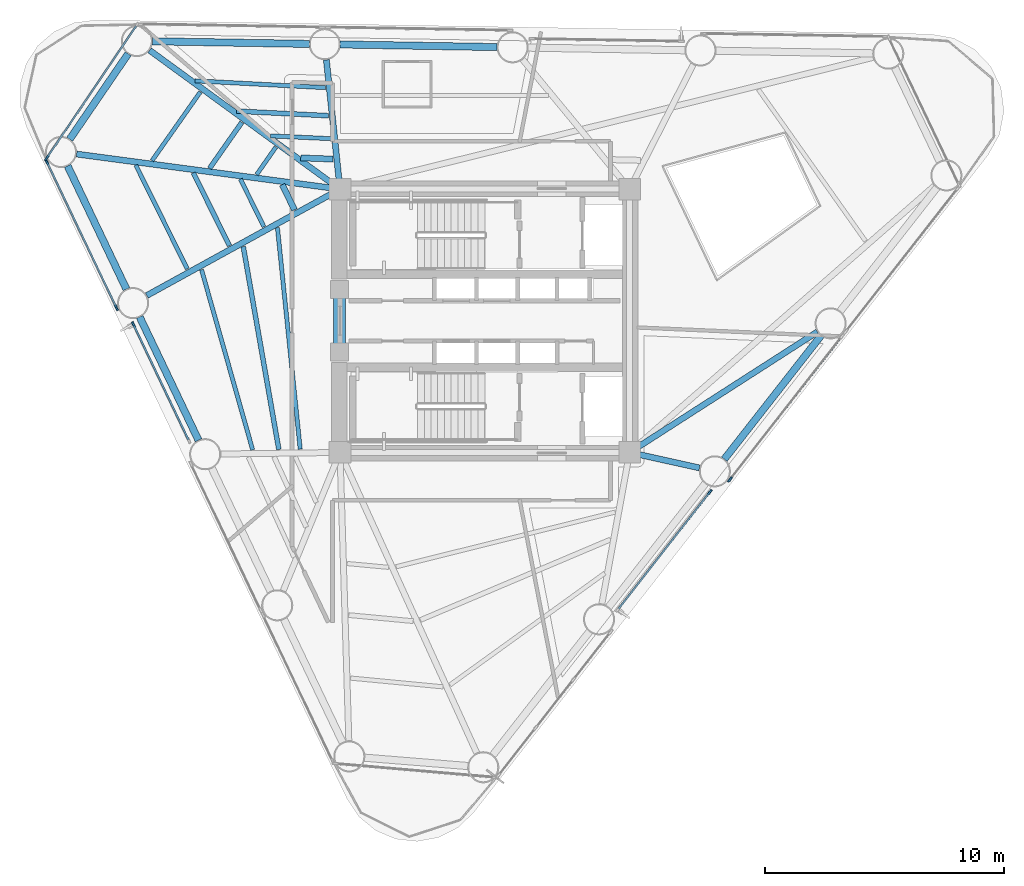
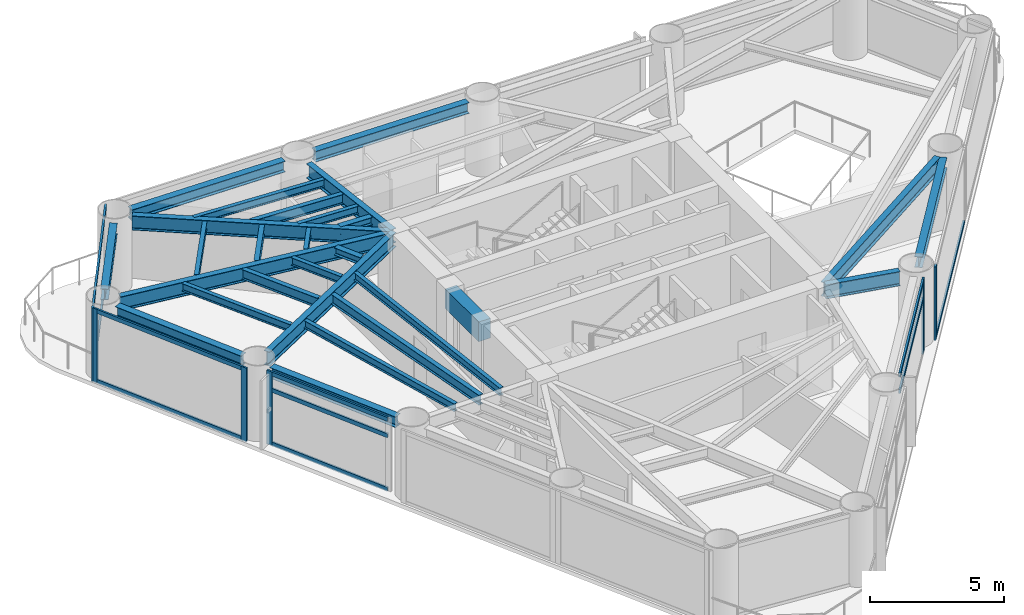
# One storey, part 3 of 10: 27 beams, 16 members, 5 elements without a shape of their own.
"""IFC4 building model written with IfcOpenShell, lengths in metres."""

from ifc_helpers import new_model, si_unit, direction, frame, origin, origin_2d, place, context, subcontext, project, spatial, rectangle, i_section, extrude, source, transform, mapped, material, layer, layer_set, material_profile, profile_set, type_object, element, aggregate, save


model = new_model("IFC4")

# Units and contexts
model_context = context("Model", 3, precision=1e-05, world=origin(), true_north=direction((0.0, 1.0)))
body_context = subcontext(model_context, "Body", "Model", "MODEL_VIEW")
ifc_project = project(units=[si_unit("LENGTHUNIT", "METRE"), si_unit("AREAUNIT", "SQUARE_METRE"), si_unit("VOLUMEUNIT", "CUBIC_METRE"), si_unit("PLANEANGLEUNIT", "RADIAN"), si_unit("MASSUNIT", "GRAM", prefix="KILO")], contexts=[model_context])

# Site, building, storey
site_placement = place(None, origin())
site = spatial("IfcSite", under=ifc_project, at=site_placement, CompositionType="ELEMENT")
building_placement = place(site_placement, origin())
building = spatial("IfcBuilding", under=site, at=building_placement, Name="Yunling Apex Tower", CompositionType="ELEMENT")
storey_placement = place(building_placement, frame((0.0, 0.0, 146.75)))
storey = spatial("IfcBuildingStorey", under=building, at=storey_placement, Name="L36", CompositionType="ELEMENT", Elevation=146.75)

# Beams
ifc_material_1 = material(Name="Concrete C50", Category="concrete")
ifc_material_profile_1 = material_profile(ifc_material_1, rectangle(XDim=0.5, YDim=0.89990234375, at=origin_2d()))
ifc_profile_set_1 = profile_set([ifc_material_profile_1], Name="Concrete C50")
beam_type_1 = type_object("IfcBeamType", Name="BC-CPL-2", PredefinedType="BEAM", material=ifc_profile_set_1)
shared_shape_1 = source(origin(), body_context, "Body", "SweptSolid", [
    extrude(rectangle(XDim=0.5, YDim=0.89990234375, at=origin_2d()), origin(), (0.0, 0.0, 1.0), 2.5),
])
beam_1_placement = place(storey_placement, frame((-6.074951171875, -1.25, 2.820068359375), z_axis=(0.0, 1.0, 0.0), x_axis=(-1.0, 0.0, 0.0)))
element("IfcBeam", 1, at=beam_1_placement, inside=storey, type_object=beam_type_1, Name="L36 Core West Portal Coupling Beam", PredefinedType="BEAM", context=body_context, shape_type="MappedRepresentation", body=[
    mapped(shared_shape_1, transform((0.0, 0.0, 0.0), scale=1.0)),
])
ifc_material_2 = material(Name="Steel Q355B", Category="steel")
ifc_material_profile_2 = material_profile(ifc_material_2, i_section(OverallWidth=0.300048828125, OverallDepth=0.489990234375, WebThickness=0.010986328125, FlangeThickness=0.01806640625, FilletRadius=0.02197265625, at=origin_2d()))
ifc_profile_set_2 = profile_set([ifc_material_profile_2], Name="Steel Q355B")
beam_type_2 = type_object("IfcBeamType", Name="BP-SPN-2", PredefinedType="SPANDREL", material=ifc_profile_set_2)
shared_shape_2 = source(origin(), body_context, "Body", "SweptSolid", [
    extrude(i_section(OverallWidth=0.300048828125, OverallDepth=0.489990234375, WebThickness=0.010986328125, FlangeThickness=0.01806640625, FilletRadius=0.02197265625, at=origin_2d()), origin(), (0.0, 0.0, 1.0), 6.562255859375),
])
beam_2_placement = place(storey_placement, frame((0.5166015625, 11.4375, 3.02490234375), z_axis=(-0.999859222118, 0.0167790329, 0.0), x_axis=(-0.0167790329, -0.999859222118, 0.0)))
element("IfcBeam", 2, at=beam_2_placement, inside=storey, type_object=beam_type_2, Name="L36 Perimeter Spandrel Beam 8", PredefinedType="SPANDREL", context=body_context, shape_type="MappedRepresentation", body=[
    mapped(shared_shape_2, transform((0.0, 0.0, 0.0), scale=1.0)),
])
shared_shape_3 = source(origin(), body_context, "Body", "SweptSolid", [
    extrude(i_section(OverallWidth=0.300048828125, OverallDepth=0.489990234375, WebThickness=0.010986328125, FlangeThickness=0.01806640625, FilletRadius=0.02197265625, at=origin_2d()), origin(), (0.0, 0.0, 1.0), 6.56201171875),
])
for number, where, z_axis, x_axis, name in (
    (3, (10.00732421875, -5.781982421875, 3.02490234375), (0.616233019323, 0.787563880518, 0.0), (-0.787563880518, 0.616233019323, 0.0), "L36 Perimeter Spandrel Beam 3"),
    (4, (-7.33251953125, 11.569091796875, 3.02490234375), (-0.999859211643, 0.016779657083, 0.0), (-0.016779657083, -0.999859211643, 0.0), "L36 Perimeter Spandrel Beam 9"),
):
    element("IfcBeam", number, at=place(storey_placement, frame(where, z_axis=z_axis, x_axis=x_axis)), inside=storey, type_object=beam_type_2, Name=name, PredefinedType="SPANDREL", context=body_context, shape_type="MappedRepresentation", body=[
        mapped(shared_shape_3, transform((0.0, 0.0, 0.0), scale=1.0)),
    ])
shared_shape_4 = source(origin(), body_context, "Body", "SweptSolid", [
    extrude(i_section(OverallWidth=0.300048828125, OverallDepth=0.489990234375, WebThickness=0.010986328125, FlangeThickness=0.01806640625, FilletRadius=0.02197265625, at=origin_2d()), origin(), (0.0, 0.0, 1.0), 4.328125),
])
beam_3_placement = place(storey_placement, frame((-14.901123046875, 11.158447265625, 3.02490234375), z_axis=(-0.564631339119, -0.825343232167, 0.0), x_axis=(0.825343232167, -0.564631339119, 0.0)))
element("IfcBeam", 5, at=beam_3_placement, inside=storey, type_object=beam_type_2, Name="L36 Perimeter Spandrel Beam 10", PredefinedType="SPANDREL", context=body_context, shape_type="MappedRepresentation", body=[
    mapped(shared_shape_4, transform((0.0, 0.0, 0.0), scale=1.0)),
])
shared_shape_5 = source(origin(), body_context, "Body", "SweptSolid", [
    extrude(i_section(OverallWidth=0.300048828125, OverallDepth=0.489990234375, WebThickness=0.010986328125, FlangeThickness=0.01806640625, FilletRadius=0.02197265625, at=origin_2d()), origin(), (0.0, 0.0, 1.0), 5.70751953125),
])
for number, where, z_axis, x_axis, name in (
    (6, (-17.431396484375, 6.473388671875, 3.02490234375), (0.430539541488, -0.902571716383, 0.0), (0.902571716383, 0.430539541488, 0.0), "L36 Perimeter Spandrel Beam 11"),
    (7, (-14.419677734375, 0.1591796875, 3.02490234375), (0.430539541488, -0.902571716383, 0.0), (0.902571716383, 0.430539541488, 0.0), "L36 Perimeter Spandrel Beam 12"),
):
    element("IfcBeam", number, at=place(storey_placement, frame(where, z_axis=z_axis, x_axis=x_axis)), inside=storey, type_object=beam_type_2, Name=name, PredefinedType="SPANDREL", context=body_context, shape_type="MappedRepresentation", body=[
        mapped(shared_shape_5, transform((0.0, 0.0, 0.0), scale=1.0)),
    ])
ifc_material_profile_3 = material_profile(ifc_material_2, i_section(OverallWidth=0.25, OverallDepth=0.64990234375, WebThickness=0.011962890625, FlangeThickness=0.02001953125, FilletRadius=0.02392578125, at=origin_2d()))
ifc_profile_set_3 = profile_set([ifc_material_profile_3], Name="Steel Q355B")
beam_type_3 = type_object("IfcBeamType", Name="BG-PRI-4", PredefinedType="USERDEFINED", material=ifc_profile_set_3)
shared_shape_6 = source(origin(), body_context, "Body", "SweptSolid", [
    extrude(i_section(OverallWidth=0.25, OverallDepth=0.64990234375, WebThickness=0.011962890625, FlangeThickness=0.02001953125, FilletRadius=0.02392578125, at=origin_2d()), origin(), (0.0, 0.0, 1.0), 2.908935546875),
])
beam_4_placement = place(storey_placement, frame((8.96826171875, -6.14697265625, 2.945068359375), z_axis=(-0.976295546219, 0.216441692917, 0.0), x_axis=(-0.216441692917, -0.976295546219, 0.0)))
element("IfcBeam", 8, at=beam_4_placement, inside=storey, type_object=beam_type_3, Name="L36 Radial Primary Girder R03", ObjectType="GIRDER", PredefinedType="USERDEFINED", context=body_context, shape_type="MappedRepresentation", body=[
    mapped(shared_shape_6, transform((0.0, 0.0, 0.0), scale=1.0)),
])
shared_shape_7 = source(origin(), body_context, "Body", "SweptSolid", [
    extrude(i_section(OverallWidth=0.25, OverallDepth=0.64990234375, WebThickness=0.011962890625, FlangeThickness=0.02001953125, FilletRadius=0.02392578125, at=origin_2d()), origin(), (0.0, 0.0, 1.0), 9.24267578125),
])
beam_5_placement = place(storey_placement, frame((13.894287109375, -0.46240234375, 2.945068359375), z_axis=(-0.841433276896, -0.540361027954, 0.0), x_axis=(0.540361027954, -0.841433276896, 0.0)))
element("IfcBeam", 9, at=beam_5_placement, inside=storey, type_object=beam_type_3, Name="L36 Radial Primary Girder R04", ObjectType="GIRDER", PredefinedType="USERDEFINED", context=body_context, shape_type="MappedRepresentation", body=[
    mapped(shared_shape_7, transform((0.0, 0.0, 0.0), scale=1.0)),
])
shared_shape_8 = source(origin(), body_context, "Body", "SweptSolid", [
    extrude(i_section(OverallWidth=0.25, OverallDepth=0.64990234375, WebThickness=0.011962890625, FlangeThickness=0.02001953125, FilletRadius=0.02392578125, at=origin_2d()), origin(), (0.0, 0.0, 1.0), 5.35400390625),
])
beam_6_placement = place(storey_placement, frame((-6.619384765625, 10.904052734375, 2.945068359375), z_axis=(0.104789227106, -0.99449445342, 0.0), x_axis=(0.99449445342, 0.104789227106, 0.0)))
element("IfcBeam", 10, at=beam_6_placement, inside=storey, type_object=beam_type_3, Name="L36 Radial Primary Girder R09", ObjectType="GIRDER", PredefinedType="USERDEFINED", context=body_context, shape_type="MappedRepresentation", body=[
    mapped(shared_shape_8, transform((0.0, 0.0, 0.0), scale=1.0)),
])
shared_shape_9 = source(origin(), body_context, "Body", "SweptSolid", [
    extrude(i_section(OverallWidth=0.25, OverallDepth=0.64990234375, WebThickness=0.011962890625, FlangeThickness=0.02001953125, FilletRadius=0.02392578125, at=origin_2d()), origin(), (0.0, 0.0, 1.0), 9.76708984375),
])
beam_7_placement = place(storey_placement, frame((-14.005859375, 11.30224609375, 2.945068359375), z_axis=(0.807958193343, -0.589239813497, 0.0), x_axis=(0.589239813497, 0.807958193343, 0.0)))
element("IfcBeam", 11, at=beam_7_placement, inside=storey, type_object=beam_type_3, Name="L36 Radial Primary Girder R10", ObjectType="GIRDER", PredefinedType="USERDEFINED", context=body_context, shape_type="MappedRepresentation", body=[
    mapped(shared_shape_9, transform((0.0, 0.0, 0.0), scale=1.0)),
])
shared_shape_10 = source(origin(), body_context, "Body", "SweptSolid", [
    extrude(i_section(OverallWidth=0.25, OverallDepth=0.64990234375, WebThickness=0.011962890625, FlangeThickness=0.02001953125, FilletRadius=0.02392578125, at=origin_2d()), origin(), (0.0, 0.0, 1.0), 11.023681640625),
])
beam_8_placement = place(storey_placement, frame((-17.056396484375, 6.9677734375, 2.945068359375), z_axis=(0.991223838358, -0.132194183952, 0.0), x_axis=(0.132194183952, 0.991223838358, 0.0)))
element("IfcBeam", 12, at=beam_8_placement, inside=storey, type_object=beam_type_3, Name="L36 Radial Primary Girder R11", ObjectType="GIRDER", PredefinedType="USERDEFINED", context=body_context, shape_type="MappedRepresentation", body=[
    mapped(shared_shape_10, transform((0.0, 0.0, 0.0), scale=1.0)),
])
shared_shape_11 = source(origin(), body_context, "Body", "SweptSolid", [
    extrude(i_section(OverallWidth=0.25, OverallDepth=0.64990234375, WebThickness=0.011962890625, FlangeThickness=0.02001953125, FilletRadius=0.02392578125, at=origin_2d()), origin(), (0.0, 0.0, 1.0), 9.132080078125),
])
beam_9_placement = place(storey_placement, frame((-14.120361328125, 1.057861328125, 2.945068359375), z_axis=(0.876057251214, 0.482207105501, 0.0), x_axis=(-0.482207105501, 0.876057251214, 0.0)))
element("IfcBeam", 13, at=beam_9_placement, inside=storey, type_object=beam_type_3, Name="L36 Radial Primary Girder R12", ObjectType="GIRDER", PredefinedType="USERDEFINED", context=body_context, shape_type="MappedRepresentation", body=[
    mapped(shared_shape_11, transform((0.0, 0.0, 0.0), scale=1.0)),
])
ifc_material_profile_4 = material_profile(ifc_material_2, i_section(OverallWidth=0.199951171875, OverallDepth=0.449951171875, WebThickness=0.009033203125, FlangeThickness=0.013916015625, FilletRadius=0.01806640625, at=origin_2d()))
ifc_profile_set_4 = profile_set([ifc_material_profile_4], Name="Steel Q355B")
beam_type_4 = type_object("IfcBeamType", Name="BS-SEC-3", PredefinedType="BEAM", material=ifc_profile_set_4)
shared_shape_12 = source(origin(), body_context, "Body", "SweptSolid", [
    extrude(i_section(OverallWidth=0.199951171875, OverallDepth=0.449951171875, WebThickness=0.009033203125, FlangeThickness=0.013916015625, FilletRadius=0.01806640625, at=origin_2d()), origin(), (0.0, 0.0, 1.0), 3.84619140625),
])
beam_10_placement = place(storey_placement, frame((-6.532470703125, 8.5693359375, 3.044921875), z_axis=(-0.998745046624, 0.050083249128, 0.0), x_axis=(-0.050083249128, -0.998745046624, 0.0)))
element("IfcBeam", 14, at=beam_10_placement, inside=storey, type_object=beam_type_4, Name="L36 Composite Floor Beam BS-9", PredefinedType="BEAM", context=body_context, shape_type="MappedRepresentation", body=[
    mapped(shared_shape_12, transform((0.0, 0.0, 0.0), scale=1.0)),
])
ifc_material_profile_5 = material_profile(ifc_material_2, i_section(OverallWidth=0.175048828125, OverallDepth=0.35009765625, WebThickness=0.007080078125, FlangeThickness=0.010986328125, FilletRadius=0.013916015625, at=origin_2d()))
ifc_profile_set_5 = profile_set([ifc_material_profile_5], Name="Steel Q355B")
beam_type_5 = type_object("IfcBeamType", Name="BJ-JST-1", PredefinedType="JOIST", material=ifc_profile_set_5)
shared_shape_13 = source(origin(), body_context, "Body", "SweptSolid", [
    extrude(i_section(OverallWidth=0.175048828125, OverallDepth=0.35009765625, WebThickness=0.007080078125, FlangeThickness=0.010986328125, FilletRadius=0.013916015625, at=origin_2d()), origin(), (0.0, 0.0, 1.0), 5.4619140625),
])
beam_11_placement = place(storey_placement, frame((-6.65576171875, 9.740966796875, 3.094970703125), z_axis=(-0.998619804272, 0.052521295825, 0.0), x_axis=(-0.052521295825, -0.998619804272, 0.0)))
element("IfcBeam", 15, at=beam_11_placement, inside=storey, type_object=beam_type_5, Name="L36 Composite Floor Joist BJ1-9", PredefinedType="JOIST", context=body_context, shape_type="MappedRepresentation", body=[
    mapped(shared_shape_13, transform((0.0, 0.0, 0.0), scale=1.0)),
])
shared_shape_14 = source(origin(), body_context, "Body", "SweptSolid", [
    extrude(i_section(OverallWidth=0.175048828125, OverallDepth=0.35009765625, WebThickness=0.007080078125, FlangeThickness=0.010986328125, FilletRadius=0.013916015625, at=origin_2d()), origin(), (0.0, 0.0, 1.0), 2.52490234375),
])
beam_12_placement = place(storey_placement, frame((-6.431396484375, 7.6103515625, 3.094970703125), z_axis=(-0.998935787548, 0.046122579679, 0.0), x_axis=(-0.046122579679, -0.998935787548, 0.0)))
element("IfcBeam", 16, at=beam_12_placement, inside=storey, type_object=beam_type_5, Name="L36 Composite Floor Joist BJ3-9", PredefinedType="JOIST", context=body_context, shape_type="MappedRepresentation", body=[
    mapped(shared_shape_14, transform((0.0, 0.0, 0.0), scale=1.0)),
])
ifc_material_profile_6 = material_profile(ifc_material_2, i_section(OverallWidth=0.25, OverallDepth=0.340087890625, WebThickness=0.009033203125, FlangeThickness=0.013916015625, FilletRadius=0.01806640625, at=origin_2d()))
ifc_profile_set_6 = profile_set([ifc_material_profile_6], Name="Steel Q355B")
beam_type_6 = type_object("IfcBeamType", Name="BJ-JST-2", PredefinedType="JOIST", material=ifc_profile_set_6)
shared_shape_15 = source(origin(), body_context, "Body", "SweptSolid", [
    extrude(i_section(OverallWidth=0.25, OverallDepth=0.340087890625, WebThickness=0.009033203125, FlangeThickness=0.013916015625, FilletRadius=0.01806640625, at=origin_2d()), origin(), (0.0, 0.0, 1.0), 1.35009765625),
])
beam_13_placement = place(storey_placement, frame((-6.341796875, 6.7568359375, 3.10009765625), z_axis=(-0.999299138543, 0.03743302962, 0.0), x_axis=(-0.03743302962, -0.999299138543, 0.0)))
element("IfcBeam", 17, at=beam_13_placement, inside=storey, type_object=beam_type_6, Name="L36 Composite Floor Joist BJ2-9", PredefinedType="JOIST", context=body_context, shape_type="MappedRepresentation", body=[
    mapped(shared_shape_15, transform((0.0, 0.0, 0.0), scale=1.0)),
])
shared_shape_16 = source(origin(), body_context, "Body", "SweptSolid", [
    extrude(i_section(OverallWidth=0.199951171875, OverallDepth=0.449951171875, WebThickness=0.009033203125, FlangeThickness=0.013916015625, FilletRadius=0.01806640625, at=origin_2d()), origin(), (0.0, 0.0, 1.0), 2.349365234375),
])
beam_14_placement = place(storey_placement, frame((-10.152099609375, 8.293701171875, 3.044921875), z_axis=(-0.574138652216, -0.818758088834, 0.0), x_axis=(0.818758088834, -0.574138652216, 0.0)))
element("IfcBeam", 18, at=beam_14_placement, inside=storey, type_object=beam_type_4, Name="L36 Composite Floor Beam BS-10", PredefinedType="BEAM", context=body_context, shape_type="MappedRepresentation", body=[
    mapped(shared_shape_16, transform((0.0, 0.0, 0.0), scale=1.0)),
])
shared_shape_17 = source(origin(), body_context, "Body", "SweptSolid", [
    extrude(i_section(OverallWidth=0.175048828125, OverallDepth=0.35009765625, WebThickness=0.007080078125, FlangeThickness=0.010986328125, FilletRadius=0.013916015625, at=origin_2d()), origin(), (0.0, 0.0, 1.0), 3.5068359375),
])
beam_15_placement = place(storey_placement, frame((-11.88818359375, 9.559814453125, 3.094970703125), z_axis=(-0.575031163817, -0.818131505712, 0.0), x_axis=(0.818131505712, -0.575031163817, 0.0)))
element("IfcBeam", 19, at=beam_15_placement, inside=storey, type_object=beam_type_5, Name="L36 Composite Floor Joist BJ1-10", PredefinedType="JOIST", context=body_context, shape_type="MappedRepresentation", body=[
    mapped(shared_shape_17, transform((0.0, 0.0, 0.0), scale=1.0)),
])
shared_shape_18 = source(origin(), body_context, "Body", "SweptSolid", [
    extrude(i_section(OverallWidth=0.175048828125, OverallDepth=0.35009765625, WebThickness=0.007080078125, FlangeThickness=0.010986328125, FilletRadius=0.013916015625, at=origin_2d()), origin(), (0.0, 0.0, 1.0), 1.40185546875),
])
beam_16_placement = place(storey_placement, frame((-8.7314453125, 7.257568359375, 3.094970703125), z_axis=(-0.572573774169, -0.819853202186, 0.0), x_axis=(0.819853202186, -0.572573774169, 0.0)))
element("IfcBeam", 20, at=beam_16_placement, inside=storey, type_object=beam_type_5, Name="L36 Composite Floor Joist BJ3-10", PredefinedType="JOIST", context=body_context, shape_type="MappedRepresentation", body=[
    mapped(shared_shape_18, transform((0.0, 0.0, 0.0), scale=1.0)),
])
shared_shape_19 = source(origin(), body_context, "Body", "SweptSolid", [
    extrude(i_section(OverallWidth=0.199951171875, OverallDepth=0.449951171875, WebThickness=0.009033203125, FlangeThickness=0.013916015625, FilletRadius=0.01806640625, at=origin_2d()), origin(), (0.0, 0.0, 1.0), 3.396484375),
])
beam_17_placement = place(storey_placement, frame((-12.177490234375, 6.18310546875, 3.044921875), z_axis=(0.443500732864, -0.896274009413, 0.0), x_axis=(0.896274009413, 0.443500732864, 0.0)))
element("IfcBeam", 21, at=beam_17_placement, inside=storey, type_object=beam_type_4, Name="L36 Composite Floor Beam BS-11", PredefinedType="BEAM", context=body_context, shape_type="MappedRepresentation", body=[
    mapped(shared_shape_19, transform((0.0, 0.0, 0.0), scale=1.0)),
])
shared_shape_20 = source(origin(), body_context, "Body", "SweptSolid", [
    extrude(i_section(OverallWidth=0.175048828125, OverallDepth=0.35009765625, WebThickness=0.007080078125, FlangeThickness=0.010986328125, FilletRadius=0.013916015625, at=origin_2d()), origin(), (0.0, 0.0, 1.0), 4.837890625),
])
beam_18_placement = place(storey_placement, frame((-14.581298828125, 6.50390625, 3.094970703125), z_axis=(0.444385383115, -0.895835716677, 0.0), x_axis=(0.895835716677, 0.444385383115, 0.0)))
element("IfcBeam", 22, at=beam_18_placement, inside=storey, type_object=beam_type_5, Name="L36 Composite Floor Joist BJ1-11", PredefinedType="JOIST", context=body_context, shape_type="MappedRepresentation", body=[
    mapped(shared_shape_20, transform((0.0, 0.0, 0.0), scale=1.0)),
])
shared_shape_21 = source(origin(), body_context, "Body", "SweptSolid", [
    extrude(i_section(OverallWidth=0.175048828125, OverallDepth=0.35009765625, WebThickness=0.007080078125, FlangeThickness=0.010986328125, FilletRadius=0.013916015625, at=origin_2d()), origin(), (0.0, 0.0, 1.0), 2.217529296875),
])
beam_19_placement = place(storey_placement, frame((-10.2109375, 5.9208984375, 3.094970703125), z_axis=(0.441921230905, -0.897053858848, 0.0), x_axis=(0.897053858848, 0.441921230905, 0.0)))
element("IfcBeam", 23, at=beam_19_placement, inside=storey, type_object=beam_type_5, Name="L36 Composite Floor Joist BJ3-11", PredefinedType="JOIST", context=body_context, shape_type="MappedRepresentation", body=[
    mapped(shared_shape_21, transform((0.0, 0.0, 0.0), scale=1.0)),
])
shared_shape_22 = source(origin(), body_context, "Body", "SweptSolid", [
    extrude(i_section(OverallWidth=0.25, OverallDepth=0.340087890625, WebThickness=0.009033203125, FlangeThickness=0.013916015625, FilletRadius=0.01806640625, at=origin_2d()), origin(), (0.0, 0.0, 1.0), 1.16943359375),
])
beam_20_placement = place(storey_placement, frame((-8.463134765625, 5.6875, 3.10009765625), z_axis=(0.438592252634, -0.898686172103, 0.0), x_axis=(0.898686172103, 0.438592252634, 0.0)))
element("IfcBeam", 24, at=beam_20_placement, inside=storey, type_object=beam_type_6, Name="L36 Composite Floor Joist BJ2-11", PredefinedType="JOIST", context=body_context, shape_type="MappedRepresentation", body=[
    mapped(shared_shape_22, transform((0.0, 0.0, 0.0), scale=1.0)),
])
shared_shape_23 = source(origin(), body_context, "Body", "SweptSolid", [
    extrude(i_section(OverallWidth=0.199951171875, OverallDepth=0.449951171875, WebThickness=0.009033203125, FlangeThickness=0.013916015625, FilletRadius=0.01806640625, at=origin_2d()), origin(), (0.0, 0.0, 1.0), 8.60693359375),
])
beam_21_placement = place(storey_placement, frame((-10.092529296875, 3.10205078125, 3.044921875), z_axis=(0.172691332669, -0.984975991393, 0.0), x_axis=(0.984975991393, 0.172691332669, 0.0)))
element("IfcBeam", 25, at=beam_21_placement, inside=storey, type_object=beam_type_4, Name="L36 Composite Floor Beam BS-12", PredefinedType="BEAM", context=body_context, shape_type="MappedRepresentation", body=[
    mapped(shared_shape_23, transform((0.0, 0.0, 0.0), scale=1.0)),
])
shared_shape_24 = source(origin(), body_context, "Body", "SweptSolid", [
    extrude(i_section(OverallWidth=0.175048828125, OverallDepth=0.35009765625, WebThickness=0.007080078125, FlangeThickness=0.010986328125, FilletRadius=0.013916015625, at=origin_2d()), origin(), (0.0, 0.0, 1.0), 7.82763671875),
])
beam_22_placement = place(storey_placement, frame((-11.836669921875, 2.136962890625, 3.094970703125), z_axis=(0.273002905438, -0.962013208653, 0.0), x_axis=(0.962013208653, 0.273002905438, 0.0)))
element("IfcBeam", 26, at=beam_22_placement, inside=storey, type_object=beam_type_5, Name="L36 Composite Floor Joist BJ1-12", PredefinedType="JOIST", context=body_context, shape_type="MappedRepresentation", body=[
    mapped(shared_shape_24, transform((0.0, 0.0, 0.0), scale=1.0)),
])
shared_shape_25 = source(origin(), body_context, "Body", "SweptSolid", [
    extrude(i_section(OverallWidth=0.175048828125, OverallDepth=0.35009765625, WebThickness=0.007080078125, FlangeThickness=0.010986328125, FilletRadius=0.013916015625, at=origin_2d()), origin(), (0.0, 0.0, 1.0), 9.303955078125),
])
beam_23_placement = place(storey_placement, frame((-8.663818359375, 3.89306640625, 3.094970703125), z_axis=(0.102153373674, -0.994768660668, 0.0), x_axis=(0.994768660668, 0.102153373674, 0.0)))
element("IfcBeam", 27, at=beam_23_placement, inside=storey, type_object=beam_type_5, Name="L36 Composite Floor Joist BJ3-12", PredefinedType="JOIST", context=body_context, shape_type="MappedRepresentation", body=[
    mapped(shared_shape_25, transform((0.0, 0.0, 0.0), scale=1.0)),
])

# Curtain wall, member
ifc_material_3 = material(Name="Bronze anodised aluminium", Category="aluminium")
ifc_layer = layer(ifc_material_3, 0.239990234375)
ifc_layer_set = layer_set([ifc_layer], Name="Bronze anodised aluminium")
curtain_wall_type = type_object("IfcCurtainWallType", Name="CW-SYS-3", PredefinedType="NOTDEFINED", material=ifc_layer_set)
curtain_wall_1_placement = place(storey_placement, origin())
curtain_wall_1 = element("IfcCurtainWall", 28, at=curtain_wall_1_placement, inside=storey, type_object=curtain_wall_type, Name="CW-L36-F1-B2", PredefinedType="NOTDEFINED")
ifc_material_profile_7 = material_profile(ifc_material_3, rectangle(XDim=0.080078125, YDim=0.239990234375, at=origin_2d()))
ifc_profile_set_7 = profile_set([ifc_material_profile_7], Name="Bronze anodised aluminium")
member_type_1 = type_object("IfcMemberType", Name="CW-MUL-3", PredefinedType="MULLION", material=ifc_profile_set_7)
shared_shape_26 = source(origin(), body_context, "Body", "SweptSolid", [
    extrude(rectangle(XDim=0.080078125, YDim=0.239990234375, at=origin_2d()), origin(), (0.0, 0.0, 1.0), 3.3701171875),
])
member_1_placement = place(storey_placement, frame((9.40283203125, -7.1552734375, -0.050048828125), z_axis=(0.0, 0.0, 1.0), x_axis=(-0.787590269126, 0.616199292419, 0.0)))
member_1 = element("IfcMember", 29, at=member_1_placement, type_object=member_type_1, Name="CW-SYS-3 mullion 2", PredefinedType="MULLION", context=body_context, shape_type="MappedRepresentation", body=[
    mapped(shared_shape_26, transform((0.0, 0.0, 0.0), scale=1.0)),
])

curtain_wall_2_placement = place(storey_placement, origin())
curtain_wall_2 = element("IfcCurtainWall", 30, at=curtain_wall_2_placement, inside=storey, type_object=curtain_wall_type, Name="CW-L36-F1-B3", PredefinedType="NOTDEFINED")
member_2_placement = place(storey_placement, frame((10.24365234375, -6.632080078125, -0.050048828125), z_axis=(0.0, 0.0, 1.0), x_axis=(-0.787583748686, 0.616207626377, 0.0)))
member_2 = element("IfcMember", 31, at=member_2_placement, type_object=member_type_1, Name="CW-SYS-3 mullion 1", PredefinedType="MULLION", context=body_context, shape_type="MappedRepresentation", body=[
    mapped(shared_shape_26, transform((0.0, 0.0, 0.0), scale=1.0)),
])

curtain_wall_3_placement = place(storey_placement, origin())
curtain_wall_3 = element("IfcCurtainWall", 32, at=curtain_wall_3_placement, inside=storey, type_object=curtain_wall_type, Name="CW-L36-CRN2", PredefinedType="NOTDEFINED")
member_3_placement = place(storey_placement, frame((-18.308837890625, 6.791015625, -0.050048828125), z_axis=(0.0, 0.0, 1.0), x_axis=(0.82813882115, -0.560523052964, 0.0)))
member_3 = element("IfcMember", 33, at=member_3_placement, type_object=member_type_1, Name="CW-SYS-3 mullion 2", PredefinedType="MULLION", context=body_context, shape_type="MappedRepresentation", body=[
    mapped(shared_shape_26, transform((0.0, 0.0, 0.0), scale=1.0)),
])

# Curtain wall, members
curtain_wall_4_placement = place(storey_placement, origin())
curtain_wall_4 = element("IfcCurtainWall", 34, at=curtain_wall_4_placement, inside=storey, type_object=curtain_wall_type, Name="CW-L36-F3-B1", PredefinedType="NOTDEFINED")
member_4_placement = place(storey_placement, frame((-18.297607421875, 6.640869140625, -0.050048828125), z_axis=(0.0, 0.0, 1.0), x_axis=(0.902587765133, 0.4305058957, 0.0)))
member_4 = element("IfcMember", 35, at=member_4_placement, type_object=member_type_1, Name="CW-SYS-3 mullion 1", PredefinedType="MULLION", context=body_context, shape_type="MappedRepresentation", body=[
    mapped(shared_shape_26, transform((0.0, 0.0, 0.0), scale=1.0)),
])
member_5_placement = place(storey_placement, frame((-15.389404296875, 0.543212890625, -0.050048828125), z_axis=(0.0, 0.0, 1.0), x_axis=(0.902587765133, 0.4305058957, 0.0)))
member_5 = element("IfcMember", 36, at=member_5_placement, type_object=member_type_1, Name="CW-SYS-3 mullion 2", PredefinedType="MULLION", context=body_context, shape_type="MappedRepresentation", body=[
    mapped(shared_shape_26, transform((0.0, 0.0, 0.0), scale=1.0)),
])

# Curtain wall, member
curtain_wall_5_placement = place(storey_placement, origin())
curtain_wall_5 = element("IfcCurtainWall", 37, at=curtain_wall_5_placement, inside=storey, type_object=curtain_wall_type, Name="CW-L36-F3-B2", PredefinedType="NOTDEFINED")
member_6_placement = place(storey_placement, frame((-14.68212890625, -0.14990234375, -0.050048828125), z_axis=(0.0, 0.0, 1.0), x_axis=(0.902579794247, 0.430522606859, 0.0)))
member_6 = element("IfcMember", 38, at=member_6_placement, type_object=member_type_1, Name="CW-SYS-3 mullion 1", PredefinedType="MULLION", context=body_context, shape_type="MappedRepresentation", body=[
    mapped(shared_shape_26, transform((0.0, 0.0, 0.0), scale=1.0)),
])

# Member
ifc_material_profile_8 = material_profile(ifc_material_3, rectangle(XDim=0.080078125, YDim=0.18505859375, at=origin_2d()))
ifc_profile_set_8 = profile_set([ifc_material_profile_8], Name="Bronze anodised aluminium")
member_type_2 = type_object("IfcMemberType", Name="CW-TRN-3", PredefinedType="USERDEFINED", material=ifc_profile_set_8)
shared_shape_27 = source(origin(), body_context, "Body", "SweptSolid", [
    extrude(rectangle(XDim=0.080078125, YDim=0.18505859375, at=origin_2d()), origin(), (0.0, 0.0, 1.0), 6.158203125),
])
member_7_placement = place(storey_placement, frame((5.5859375, -12.03369140625, 2.485107421875), z_axis=(0.616202427613, 0.787587816185, 0.0), x_axis=(-0.787587816185, 0.616202427613, 0.0)))
member_7 = element("IfcMember", 39, at=member_7_placement, type_object=member_type_2, Name="CW-SYS-3 transom 1.2", ObjectType="TRANSOM", PredefinedType="USERDEFINED", context=body_context, shape_type="MappedRepresentation", body=[
    mapped(shared_shape_27, transform((0.0, 0.0, 0.0), scale=1.0)),
])

member_8_placement = place(storey_placement, frame((5.5859375, -12.03369140625, 3.22998046875), z_axis=(0.616202427613, 0.787587816185, 0.0), x_axis=(-0.787587816185, 0.616202427613, 0.0)))
member_8 = element("IfcMember", 40, at=member_8_placement, type_object=member_type_2, Name="CW-SYS-3 transom 1.3", ObjectType="TRANSOM", PredefinedType="USERDEFINED", context=body_context, shape_type="MappedRepresentation", body=[
    mapped(shared_shape_27, transform((0.0, 0.0, 0.0), scale=1.0)),
])

aggregate(curtain_wall_1, [member_1, member_7, member_8])

shared_shape_28 = source(origin(), body_context, "Body", "SweptSolid", [
    extrude(rectangle(XDim=0.080078125, YDim=0.18505859375, at=origin_2d()), origin(), (0.0, 0.0, 1.0), 7.5380859375),
])
member_9_placement = place(storey_placement, frame((10.265869140625, -6.603759765625, 0.0400390625), z_axis=(0.616213940974, 0.787578808088, 0.0), x_axis=(-0.787578808088, 0.616213940974, 0.0)))
member_9 = element("IfcMember", 41, at=member_9_placement, type_object=member_type_2, Name="CW-SYS-3 transom 1.1", ObjectType="TRANSOM", PredefinedType="USERDEFINED", context=body_context, shape_type="MappedRepresentation", body=[
    mapped(shared_shape_28, transform((0.0, 0.0, 0.0), scale=1.0)),
])

aggregate(curtain_wall_2, [member_2, member_9])

shared_shape_29 = source(origin(), body_context, "Body", "SweptSolid", [
    extrude(rectangle(XDim=0.080078125, YDim=0.18505859375, at=origin_2d()), origin(), (0.0, 0.0, 1.0), 6.63671875),
])
member_10_placement = place(storey_placement, frame((-14.568603515625, 12.31689453125, 0.0400390625), z_axis=(-0.560543901892, -0.828124709239, 0.0), x_axis=(0.828124709239, -0.560543901892, 0.0)))
member_10 = element("IfcMember", 42, at=member_10_placement, type_object=member_type_2, Name="CW-SYS-3 transom 1.1", ObjectType="TRANSOM", PredefinedType="USERDEFINED", context=body_context, shape_type="MappedRepresentation", body=[
    mapped(shared_shape_29, transform((0.0, 0.0, 0.0), scale=1.0)),
])

member_11_placement = place(storey_placement, frame((-14.568603515625, 12.31689453125, 3.22998046875), z_axis=(-0.560543901892, -0.828124709239, 0.0), x_axis=(0.828124709239, -0.560543901892, 0.0)))
member_11 = element("IfcMember", 43, at=member_11_placement, type_object=member_type_2, Name="CW-SYS-3 transom 1.2", ObjectType="TRANSOM", PredefinedType="USERDEFINED", context=body_context, shape_type="MappedRepresentation", body=[
    mapped(shared_shape_29, transform((0.0, 0.0, 0.0), scale=1.0)),
])

aggregate(curtain_wall_3, [member_3, member_10, member_11])

shared_shape_30 = source(origin(), body_context, "Body", "SweptSolid", [
    extrude(rectangle(XDim=0.080078125, YDim=0.18505859375, at=origin_2d()), origin(), (0.0, 0.0, 1.0), 6.683837890625),
])
member_12_placement = place(storey_placement, frame((-18.2822265625, 6.6083984375, 0.0400390625), z_axis=(0.430509150299, -0.902586212785, 0.0), x_axis=(0.902586212785, 0.430509150299, 0.0)))
member_12 = element("IfcMember", 44, at=member_12_placement, type_object=member_type_2, Name="CW-SYS-3 transom 1.1", ObjectType="TRANSOM", PredefinedType="USERDEFINED", context=body_context, shape_type="MappedRepresentation", body=[
    mapped(shared_shape_30, transform((0.0, 0.0, 0.0), scale=1.0)),
])

member_13_placement = place(storey_placement, frame((-18.2822265625, 6.6083984375, 3.22998046875), z_axis=(0.430509150299, -0.902586212785, 0.0), x_axis=(0.902586212785, 0.430509150299, 0.0)))
member_13 = element("IfcMember", 45, at=member_13_placement, type_object=member_type_2, Name="CW-SYS-3 transom 1.2", ObjectType="TRANSOM", PredefinedType="USERDEFINED", context=body_context, shape_type="MappedRepresentation", body=[
    mapped(shared_shape_30, transform((0.0, 0.0, 0.0), scale=1.0)),
])

aggregate(curtain_wall_4, [member_4, member_5, member_12, member_13])

shared_shape_31 = source(origin(), body_context, "Body", "SweptSolid", [
    extrude(rectangle(XDim=0.080078125, YDim=0.18505859375, at=origin_2d()), origin(), (0.0, 0.0, 1.0), 5.303466796875),
])
member_14_placement = place(storey_placement, frame((-14.66650390625, -0.182373046875, 0.0400390625), z_axis=(0.43050887408, -0.902586344534, 0.0), x_axis=(0.902586344534, 0.43050887408, 0.0)))
member_14 = element("IfcMember", 46, at=member_14_placement, type_object=member_type_2, Name="CW-SYS-3 transom 1.1", ObjectType="TRANSOM", PredefinedType="USERDEFINED", context=body_context, shape_type="MappedRepresentation", body=[
    mapped(shared_shape_31, transform((0.0, 0.0, 0.0), scale=1.0)),
])

member_15_placement = place(storey_placement, frame((-14.66650390625, -0.182373046875, 2.485107421875), z_axis=(0.43050887408, -0.902586344534, 0.0), x_axis=(0.902586344534, 0.43050887408, 0.0)))
member_15 = element("IfcMember", 47, at=member_15_placement, type_object=member_type_2, Name="CW-SYS-3 transom 1.2", ObjectType="TRANSOM", PredefinedType="USERDEFINED", context=body_context, shape_type="MappedRepresentation", body=[
    mapped(shared_shape_31, transform((0.0, 0.0, 0.0), scale=1.0)),
])

member_16_placement = place(storey_placement, frame((-14.66650390625, -0.182373046875, 3.22998046875), z_axis=(0.43050887408, -0.902586344534, 0.0), x_axis=(0.902586344534, 0.43050887408, 0.0)))
member_16 = element("IfcMember", 48, at=member_16_placement, type_object=member_type_2, Name="CW-SYS-3 transom 1.3", ObjectType="TRANSOM", PredefinedType="USERDEFINED", context=body_context, shape_type="MappedRepresentation", body=[
    mapped(shared_shape_31, transform((0.0, 0.0, 0.0), scale=1.0)),
])

aggregate(curtain_wall_5, [member_6, member_14, member_15, member_16])

save(model, "model.ifc")
